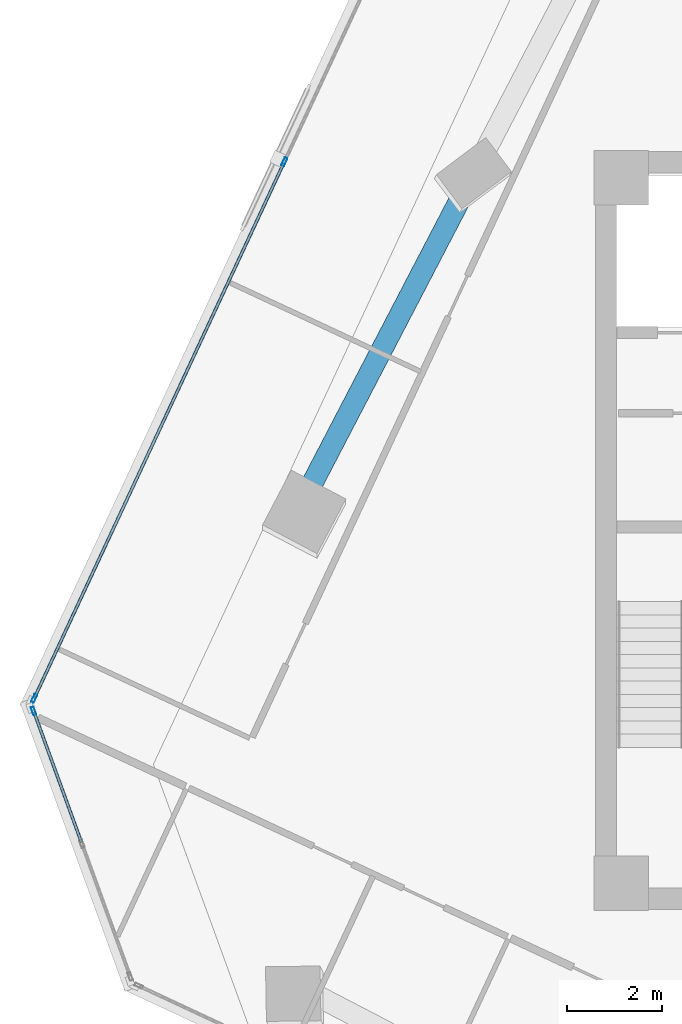
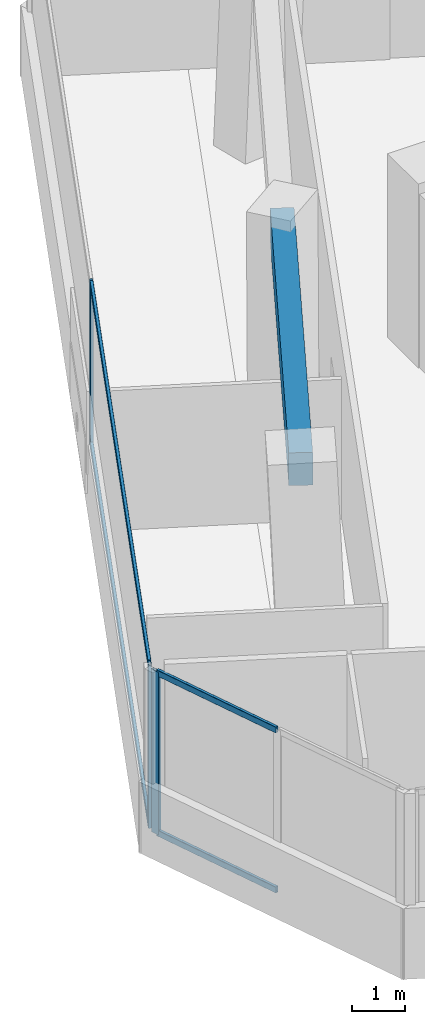
# One storey, part 6 of 21: 7 members, 1 beam, 2 elements without a shape of their own.
"""IFC4 building model written with IfcOpenShell, lengths in metres."""

from ifc_helpers import new_model, si_unit, direction, frame, origin, origin_2d, place, context, subcontext, project, spatial, rectangle, hollow_rectangle, extrude, source, transform, mapped, material, material_profile, profile_set, type_object, element, aggregate, save


model = new_model("IFC4")

# Units and contexts
model_context = context("Model", 3, precision=1e-05, world=origin(), true_north=direction((0.0, 1.0)))
body_context = subcontext(model_context, "Body", "Model", "MODEL_VIEW")
ifc_project = project(units=[si_unit("LENGTHUNIT", "METRE"), si_unit("AREAUNIT", "SQUARE_METRE"), si_unit("VOLUMEUNIT", "CUBIC_METRE"), si_unit("PLANEANGLEUNIT", "RADIAN"), si_unit("MASSUNIT", "GRAM", prefix="KILO")], contexts=[model_context])

# Site, building, storey
site_placement = place(None, origin())
site = spatial("IfcSite", under=ifc_project, at=site_placement, CompositionType="ELEMENT")
building_placement = place(site_placement, origin())
building = spatial("IfcBuilding", under=site, at=building_placement, Name="Torre Montelarca", CompositionType="ELEMENT")
storey_placement = place(building_placement, frame((0.0, 0.0, 162.39990234375)))
storey = spatial("IfcBuildingStorey", under=building, at=storey_placement, Name="L36", CompositionType="ELEMENT", Elevation=162.39990234375)

# Beam
ifc_material_1 = material(Name="Concrete C55/67", Category="concrete")
ifc_material_profile_1 = material_profile(ifc_material_1, rectangle(XDim=0.449951171875, YDim=0.75, at=origin_2d()), Name="RCB450X750", Category="concrete")
ifc_profile_set_1 = profile_set([ifc_material_profile_1], Name="Concrete C55/67")
beam_type = type_object("IfcBeamType", Name="BM-SP-RC750-EXT", PredefinedType="SPANDREL", material=ifc_profile_set_1)
shared_shape_1 = source(origin(), body_context, "Body", "SweptSolid", [
    extrude(rectangle(XDim=0.449951171875, YDim=0.75, at=origin_2d()), origin(), (0.0, 0.0, 1.0), 8.000244140625),
])
beam_placement = place(storey_placement, frame((2.85986328125, 32.684326171875, 3.585205078125), z_axis=(0.461753369906, 0.887008356996, 0.0), x_axis=(-0.887008356996, 0.461753369906, 0.0)))
element("IfcBeam", 1, at=beam_placement, inside=storey, type_object=beam_type, Name="L36 Grid Girder Y 24.0-32.0 at X=4.7", PredefinedType="SPANDREL", context=body_context, shape_type="MappedRepresentation", body=[
    mapped(shared_shape_1, transform((0.0, 0.0, 0.0), scale=1.0)),
])

# Curtain wall, members
ifc_material_2 = material(Name="Insulated low-E laminated glass", Category="glass")
curtain_wall_type = type_object("IfcCurtainWallType", Name="CW-SYS-Z2", PredefinedType="USERDEFINED", material=ifc_material_2)
curtain_wall_1_placement = place(storey_placement, origin())
curtain_wall_1 = element("IfcCurtainWall", 2, at=curtain_wall_1_placement, inside=storey, type_object=curtain_wall_type, Name="L36 Curtain Wall Run CW-T3-L36-E11-B1", ObjectType="UNITISED GLAZING", PredefinedType="USERDEFINED")
ifc_material_3 = material(Name="Anodised aluminium AA 6063-T6", Category="aluminium")
ifc_material_profile_2 = material_profile(ifc_material_3, hollow_rectangle(XDim=0.06494140625, YDim=0.139892578125, WallThickness=0.00390625, InnerFilletRadius=0.00390625, OuterFilletRadius=0.008056640625, at=origin_2d()), Name="ALU65X140X4", Category="aluminium")
ifc_profile_set_2 = profile_set([ifc_material_profile_2], Name="Anodised aluminium AA 6063-T6")
member_type_1 = type_object("IfcMemberType", Name="CWT-ALU140", PredefinedType="USERDEFINED", material=ifc_profile_set_2)
shared_shape_2 = source(origin(), body_context, "Body", "SweptSolid", [
    extrude(hollow_rectangle(XDim=0.06494140625, YDim=0.139892578125, WallThickness=0.00390625, InnerFilletRadius=0.00390625, OuterFilletRadius=0.008056640625, at=origin_2d()), origin(), (0.0, 0.0, 1.0), 2.918701171875),
])
member_1_placement = place(storey_placement, frame((-2.849365234375, 28.159423828125, 0.03271484375), z_axis=(0.342031842172, -0.939688362671, 0.0), x_axis=(0.939688362671, 0.342031842172, 0.0)))
member_1 = element("IfcMember", 3, at=member_1_placement, type_object=member_type_1, Name="CW transom 1.1", ObjectType="TRANSOM", PredefinedType="USERDEFINED", context=body_context, shape_type="MappedRepresentation", body=[
    mapped(shared_shape_2, transform((0.0, 0.0, 0.0), scale=1.0)),
])
member_2_placement = place(storey_placement, frame((-2.849365234375, 28.159423828125, 3.6875), z_axis=(0.342031842172, -0.939688362671, 0.0), x_axis=(0.939688362671, 0.342031842172, 0.0)))
member_2 = element("IfcMember", 4, at=member_2_placement, type_object=member_type_1, Name="CW transom 1.2", ObjectType="TRANSOM", PredefinedType="USERDEFINED", context=body_context, shape_type="MappedRepresentation", body=[
    mapped(shared_shape_2, transform((0.0, 0.0, 0.0), scale=1.0)),
])

curtain_wall_2_placement = place(storey_placement, origin())
curtain_wall_2 = element("IfcCurtainWall", 5, at=curtain_wall_2_placement, inside=storey, type_object=curtain_wall_type, Name="L36 Curtain Wall Run CW-T3-L36-E10-B1", ObjectType="UNITISED GLAZING", PredefinedType="USERDEFINED")
shared_shape_3 = source(origin(), body_context, "Body", "SweptSolid", [
    extrude(hollow_rectangle(XDim=0.06494140625, YDim=0.139892578125, WallThickness=0.00390625, InnerFilletRadius=0.00390625, OuterFilletRadius=0.008056640625, at=origin_2d()), origin(), (0.0, 0.0, 1.0), 12.436767578125),
])
member_3_placement = place(storey_placement, frame((2.4208984375, 39.757568359375, 0.03271484375), z_axis=(-0.422610329059, -0.906311486065, 0.0), x_axis=(0.906311486065, -0.422610329059, 0.0)))
member_3 = element("IfcMember", 6, at=member_3_placement, type_object=member_type_1, Name="CW transom 2.1", ObjectType="TRANSOM", PredefinedType="USERDEFINED", context=body_context, shape_type="MappedRepresentation", body=[
    mapped(shared_shape_3, transform((0.0, 0.0, 0.0), scale=1.0)),
])
member_4_placement = place(storey_placement, frame((2.4208984375, 39.757568359375, 3.6875), z_axis=(-0.422610329059, -0.906311486065, 0.0), x_axis=(0.906311486065, -0.422610329059, 0.0)))
member_4 = element("IfcMember", 7, at=member_4_placement, type_object=member_type_1, Name="CW transom 2.2", ObjectType="TRANSOM", PredefinedType="USERDEFINED", context=body_context, shape_type="MappedRepresentation", body=[
    mapped(shared_shape_3, transform((0.0, 0.0, 0.0), scale=1.0)),
])
ifc_material_profile_3 = material_profile(ifc_material_3, hollow_rectangle(XDim=0.06494140625, YDim=0.179931640625, WallThickness=0.00390625, InnerFilletRadius=0.00390625, OuterFilletRadius=0.008056640625, at=origin_2d()), Name="ALU65X180X4", Category="aluminium")
ifc_profile_set_3 = profile_set([ifc_material_profile_3], Name="Anodised aluminium AA 6063-T6")
member_type_2 = type_object("IfcMemberType", Name="CWM-ALU180", PredefinedType="MULLION", material=ifc_profile_set_3)
shared_shape_4 = source(origin(), body_context, "Body", "SweptSolid", [
    extrude(hollow_rectangle(XDim=0.06494140625, YDim=0.179931640625, WallThickness=0.00390625, InnerFilletRadius=0.00390625, OuterFilletRadius=0.008056640625, at=origin_2d()), origin(), (0.0, 0.0, 1.0), 3.72021484375),
])
member_5_placement = place(storey_placement, frame((2.434814453125, 39.787109375, 0.0), z_axis=(0.0, 0.0, 1.0), x_axis=(0.906309673549, -0.422614216079, 0.0)))
member_5 = element("IfcMember", 8, at=member_5_placement, type_object=member_type_2, Name="CW mullion 2", PredefinedType="MULLION", context=body_context, shape_type="MappedRepresentation", body=[
    mapped(shared_shape_4, transform((0.0, 0.0, 0.0), scale=1.0)),
])
member_6_placement = place(storey_placement, frame((-2.8486328125, 28.45654296875, 0.0), z_axis=(0.0, 0.0, 1.0), x_axis=(0.906309673549, -0.422614216079, 0.0)))
member_6 = element("IfcMember", 9, at=member_6_placement, type_object=member_type_2, Name="CW mullion 3", PredefinedType="MULLION", context=body_context, shape_type="MappedRepresentation", body=[
    mapped(shared_shape_4, transform((0.0, 0.0, 0.0), scale=1.0)),
])
aggregate(curtain_wall_2, [member_5, member_6, member_3, member_4])

# Member
member_7_placement = place(storey_placement, frame((-2.8603515625, 28.18994140625, 0.0), z_axis=(0.0, 0.0, 1.0), x_axis=(0.939694159282, 0.342015916313, 0.0)))
member_7 = element("IfcMember", 10, at=member_7_placement, type_object=member_type_2, Name="CW mullion 1", PredefinedType="MULLION", context=body_context, shape_type="MappedRepresentation", body=[
    mapped(shared_shape_4, transform((0.0, 0.0, 0.0), scale=1.0)),
])

aggregate(curtain_wall_1, [member_7, member_1, member_2])

save(model, "model.ifc")
